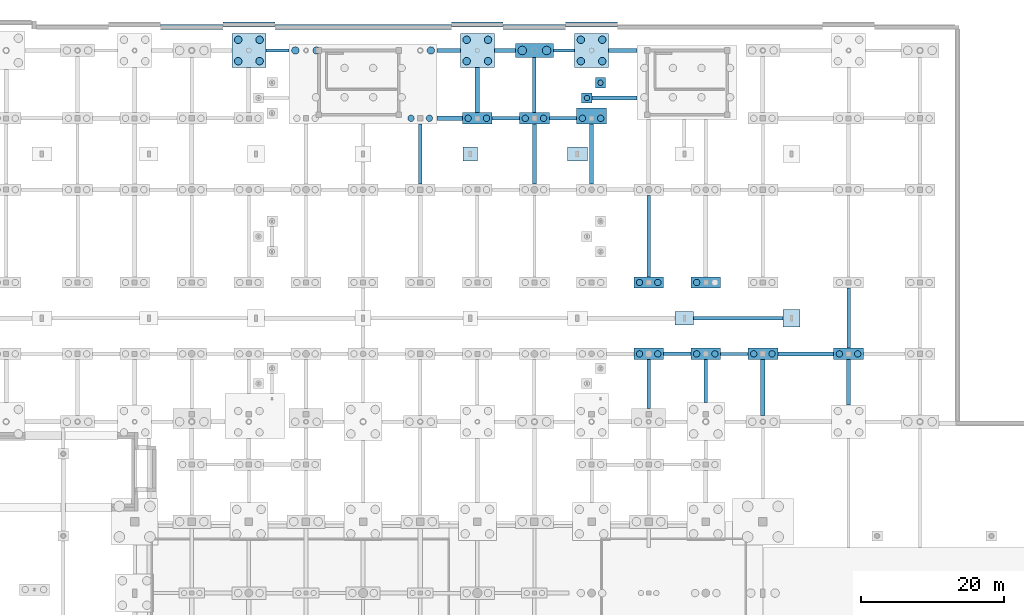
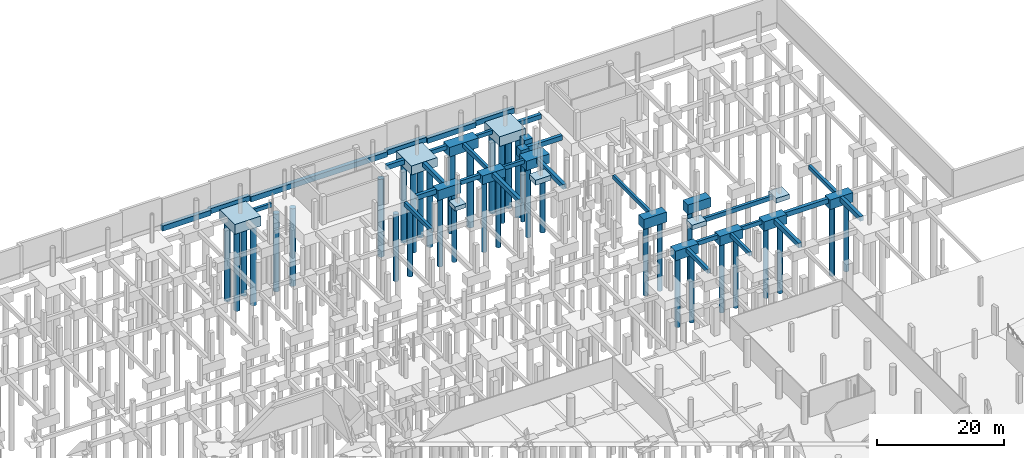
# One storey, part 16 of 65: 49 footings, 38 piles.
"""IFC4 building model written with IfcOpenShell, lengths in metres."""

from ifc_helpers import new_model, si_unit, direction, frame, origin, origin_2d, place, context, subcontext, project, spatial, rectangle, circle, extrude, material, material_profile, profile_set, type_object, element, save


model = new_model("IFC4")

# Units and contexts
model_context = context("Model", 3, precision=1e-05, world=origin(), true_north=direction((0.0, 1.0)))
body_context = subcontext(model_context, "Body", "Model", "MODEL_VIEW")
ifc_project = project(units=[si_unit("LENGTHUNIT", "METRE"), si_unit("AREAUNIT", "SQUARE_METRE"), si_unit("VOLUMEUNIT", "CUBIC_METRE"), si_unit("PLANEANGLEUNIT", "RADIAN"), si_unit("MASSUNIT", "GRAM", prefix="KILO")], contexts=[model_context])

# Site, building, storey
site_placement = place(None, origin())
site = spatial("IfcSite", under=ifc_project, at=site_placement, CompositionType="ELEMENT")
building_placement = place(site_placement, origin())
building = spatial("IfcBuilding", under=site, at=building_placement, Name="Khorjan Park Terminus", CompositionType="ELEMENT")
storey_placement = place(building_placement, frame((0.0, 0.0, -5.4)))
storey = spatial("IfcBuildingStorey", under=building, at=storey_placement, Name="B1", CompositionType="ELEMENT", Elevation=-5.4)

# Footings
ifc_material = material(Name="Concrete C40/50", Category="concrete")
ifc_material_profile_1 = material_profile(ifc_material, rectangle(XDim=0.45, YDim=0.75, at=origin_2d()), Name="RC 450x750")
ifc_profile_set_1 = profile_set([ifc_material_profile_1], Name="Concrete C40/50")
footing_type_1 = type_object("IfcFootingType", Name="FTG-GB-450x750", PredefinedType="FOOTING_BEAM", material=ifc_profile_set_1)
footing_1_placement = place(storey_placement, frame((130.083, 111.5, -0.375), z_axis=(1.0, 0.0, 0.0), x_axis=(0.0, 1.0, 0.0)))
element("IfcFooting", 1, at=footing_1_placement, inside=storey, type_object=footing_type_1, Name="Reinforced concrete ground tie beam FB-07 (122)", PredefinedType="FOOTING_BEAM", context=body_context, shape_type="SweptSolid", body=[
    extrude(rectangle(XDim=0.45, YDim=0.75, at=origin_2d()), origin(), (0.0, 0.0, 1.0), 3.834),
])
footing_2_placement = place(storey_placement, frame((106.082, 144.5, -0.375), z_axis=(1.0, 0.0, 0.0), x_axis=(0.0, 1.0, 0.0)))
element("IfcFooting", 2, at=footing_2_placement, inside=storey, type_object=footing_type_1, Name="Reinforced concrete ground tie beam FB-07 (161)", PredefinedType="FOOTING_BEAM", context=body_context, shape_type="SweptSolid", body=[
    extrude(rectangle(XDim=0.45, YDim=0.75, at=origin_2d()), origin(), (0.0, 0.0, 1.0), 3.836),
])
footing_3_placement = place(storey_placement, frame((66.371, 154.0, -0.375), z_axis=(1.0, 0.0, 0.0), x_axis=(0.0, 1.0, 0.0)))
element("IfcFooting", 3, at=footing_3_placement, inside=storey, type_object=footing_type_1, Name="Reinforced concrete ground tie beam FB-07 (173)", PredefinedType="FOOTING_BEAM", context=body_context, shape_type="SweptSolid", body=[
    extrude(rectangle(XDim=0.45, YDim=0.75, at=origin_2d()), origin(), (0.0, 0.0, 1.0), 3.258),
])
footing_4_placement = place(storey_placement, frame((106.66, 154.0, -0.375), z_axis=(1.0, 0.0, 0.0), x_axis=(0.0, 1.0, 0.0)))
element("IfcFooting", 4, at=footing_4_placement, inside=storey, type_object=footing_type_1, Name="Reinforced concrete ground tie beam FB-07 (176)", PredefinedType="FOOTING_BEAM", context=body_context, shape_type="SweptSolid", body=[
    extrude(rectangle(XDim=0.45, YDim=0.75, at=origin_2d()), origin(), (0.0, 0.0, 1.0), 2.969),
])
footing_5_placement = place(storey_placement, frame((120.0, 122.3, -0.375), z_axis=(0.0, 1.0, 0.0), x_axis=(-1.0, 0.0, 0.0)))
element("IfcFooting", 5, at=footing_5_placement, inside=storey, type_object=footing_type_1, Name="Reinforced concrete ground tie beam FB-07 (350)", PredefinedType="FOOTING_BEAM", context=body_context, shape_type="SweptSolid", body=[
    extrude(rectangle(XDim=0.45, YDim=0.75, at=origin_2d()), origin(), (0.0, 0.0, 1.0), 11.4),
])
footing_6_placement = place(storey_placement, frame((128.0, 104.66, -0.375), z_axis=(0.0, 1.0, 0.0), x_axis=(-1.0, 0.0, 0.0)))
element("IfcFooting", 6, at=footing_6_placement, inside=storey, type_object=footing_type_1, Name="Reinforced concrete ground tie beam FB-07 (356)", PredefinedType="FOOTING_BEAM", context=body_context, shape_type="SweptSolid", body=[
    extrude(rectangle(XDim=0.45, YDim=0.75, at=origin_2d()), origin(), (0.0, 0.0, 1.0), 6.04),
])
ifc_material_profile_2 = material_profile(ifc_material, rectangle(XDim=0.5, YDim=0.8, at=origin_2d()), Name="RC 500x800")
ifc_profile_set_2 = profile_set([ifc_material_profile_2], Name="Concrete C40/50")
footing_type_2 = type_object("IfcFootingType", Name="FTG-GB-500x800", PredefinedType="FOOTING_BEAM", material=ifc_profile_set_2)
footing_7_placement = place(storey_placement, frame((122.082, 111.5, -0.4), z_axis=(1.0, 0.0, 0.0), x_axis=(0.0, 1.0, 0.0)))
element("IfcFooting", 7, at=footing_7_placement, inside=storey, type_object=footing_type_2, Name="Reinforced concrete ground tie beam FB-08 (121)", PredefinedType="FOOTING_BEAM", context=body_context, shape_type="SweptSolid", body=[
    extrude(rectangle(XDim=0.5, YDim=0.8, at=origin_2d()), origin(), (0.0, 0.0, 1.0), 3.836),
])
footing_8_placement = place(storey_placement, frame((126.3, 116.5, -0.4), z_axis=(1.0, 0.0, 0.0), x_axis=(0.0, 1.0, 0.0)))
element("IfcFooting", 8, at=footing_8_placement, inside=storey, type_object=footing_type_2, Name="Reinforced concrete ground tie beam FB-08 (133)", PredefinedType="FOOTING_BEAM", context=body_context, shape_type="SweptSolid", body=[
    extrude(rectangle(XDim=0.5, YDim=0.8, at=origin_2d()), origin(), (0.0, 0.0, 1.0), 12.5),
])
footing_9_placement = place(storey_placement, frame((98.082, 144.5, -0.4), z_axis=(1.0, 0.0, 0.0), x_axis=(0.0, 1.0, 0.0)))
element("IfcFooting", 9, at=footing_9_placement, inside=storey, type_object=footing_type_2, Name="Reinforced concrete ground tie beam FB-08 (160)", PredefinedType="FOOTING_BEAM", context=body_context, shape_type="SweptSolid", body=[
    extrude(rectangle(XDim=0.5, YDim=0.8, at=origin_2d()), origin(), (0.0, 0.0, 1.0), 3.836),
])
footing_10_placement = place(storey_placement, frame((98.371, 154.0, -0.4), z_axis=(1.0, 0.0, 0.0), x_axis=(0.0, 1.0, 0.0)))
element("IfcFooting", 10, at=footing_10_placement, inside=storey, type_object=footing_type_2, Name="Reinforced concrete ground tie beam FB-08 (175)", PredefinedType="FOOTING_BEAM", context=body_context, shape_type="SweptSolid", body=[
    extrude(rectangle(XDim=0.5, YDim=0.8, at=origin_2d()), origin(), (0.0, 0.0, 1.0), 2.969),
])
footing_11_placement = place(storey_placement, frame((88.0, 135.3, -0.4), z_axis=(0.0, 1.0, 0.0), x_axis=(-1.0, 0.0, 0.0)))
element("IfcFooting", 11, at=footing_11_placement, inside=storey, type_object=footing_type_2, Name="Reinforced concrete ground tie beam FB-08 (313)", PredefinedType="FOOTING_BEAM", context=body_context, shape_type="SweptSolid", body=[
    extrude(rectangle(XDim=0.5, YDim=0.8, at=origin_2d()), origin(), (0.0, 0.0, 1.0), 8.4),
])
footing_12_placement = place(storey_placement, frame((104.0, 145.3, -0.4), z_axis=(0.0, 1.0, 0.0), x_axis=(-1.0, 0.0, 0.0)))
element("IfcFooting", 12, at=footing_12_placement, inside=storey, type_object=footing_type_2, Name="Reinforced concrete ground tie beam FB-08 (340)", PredefinedType="FOOTING_BEAM", context=body_context, shape_type="SweptSolid", body=[
    extrude(rectangle(XDim=0.5, YDim=0.8, at=origin_2d()), origin(), (0.0, 0.0, 1.0), 7.75),
])
footing_13_placement = place(storey_placement, frame((120.0, 103.86, -0.4), z_axis=(0.0, 1.0, 0.0), x_axis=(-1.0, 0.0, 0.0)))
element("IfcFooting", 13, at=footing_13_placement, inside=storey, type_object=footing_type_2, Name="Reinforced concrete ground tie beam FB-08 (349)", PredefinedType="FOOTING_BEAM", context=body_context, shape_type="SweptSolid", body=[
    extrude(rectangle(XDim=0.5, YDim=0.8, at=origin_2d()), origin(), (0.0, 0.0, 1.0), 6.84),
])
footing_14_placement = place(storey_placement, frame((148.0, 112.3, -0.4), z_axis=(0.0, 1.0, 0.0), x_axis=(-1.0, 0.0, 0.0)))
element("IfcFooting", 14, at=footing_14_placement, inside=storey, type_object=footing_type_2, Name="Reinforced concrete ground tie beam FB-08 (367)", PredefinedType="FOOTING_BEAM", context=body_context, shape_type="SweptSolid", body=[
    extrude(rectangle(XDim=0.5, YDim=0.8, at=origin_2d()), origin(), (0.0, 0.0, 1.0), 8.4),
])
ifc_material_profile_3 = material_profile(ifc_material, rectangle(XDim=0.6, YDim=0.9, at=origin_2d()), Name="RC 600x900")
ifc_profile_set_3 = profile_set([ifc_material_profile_3], Name="Concrete C40/50")
footing_type_3 = type_object("IfcFootingType", Name="FTG-GB-600x900", PredefinedType="FOOTING_BEAM", material=ifc_profile_set_3)
footing_15_placement = place(storey_placement, frame((138.083, 111.5, -0.45), z_axis=(1.0, 0.0, 0.0), x_axis=(0.0, 1.0, 0.0)))
element("IfcFooting", 15, at=footing_15_placement, inside=storey, type_object=footing_type_3, Name="Reinforced concrete ground tie beam FB-09 (123)", PredefinedType="FOOTING_BEAM", context=body_context, shape_type="SweptSolid", body=[
    extrude(rectangle(XDim=0.6, YDim=0.9, at=origin_2d()), origin(), (0.0, 0.0, 1.0), 7.834),
])
footing_16_placement = place(storey_placement, frame((90.371, 144.5, -0.45), z_axis=(1.0, 0.0, 0.0), x_axis=(0.0, 1.0, 0.0)))
element("IfcFooting", 16, at=footing_16_placement, inside=storey, type_object=footing_type_3, Name="Reinforced concrete ground tie beam FB-09 (159)", PredefinedType="FOOTING_BEAM", context=body_context, shape_type="SweptSolid", body=[
    extrude(rectangle(XDim=0.6, YDim=0.9, at=origin_2d()), origin(), (0.0, 0.0, 1.0), 3.547),
])
footing_17_placement = place(storey_placement, frame((112.075, 147.35, -0.45), z_axis=(1.0, 0.0, 0.0), x_axis=(0.0, 1.0, 0.0)))
element("IfcFooting", 17, at=footing_17_placement, inside=storey, type_object=footing_type_3, Name="Reinforced concrete ground tie beam FB-09 (165)", PredefinedType="FOOTING_BEAM", context=body_context, shape_type="SweptSolid", body=[
    extrude(rectangle(XDim=0.6, YDim=0.9, at=origin_2d()), origin(), (0.0, 0.0, 1.0), 6.325),
])
footing_18_placement = place(storey_placement, frame((90.371, 154.0, -0.45), z_axis=(1.0, 0.0, 0.0), x_axis=(0.0, 1.0, 0.0)))
element("IfcFooting", 18, at=footing_18_placement, inside=storey, type_object=footing_type_3, Name="Reinforced concrete ground tie beam FB-09 (174)", PredefinedType="FOOTING_BEAM", context=body_context, shape_type="SweptSolid", body=[
    extrude(rectangle(XDim=0.6, YDim=0.9, at=origin_2d()), origin(), (0.0, 0.0, 1.0), 3.258),
])
footing_19_placement = place(storey_placement, frame((114.371, 154.0, -0.45), z_axis=(1.0, 0.0, 0.0), x_axis=(0.0, 1.0, 0.0)))
element("IfcFooting", 19, at=footing_19_placement, inside=storey, type_object=footing_type_3, Name="Reinforced concrete ground tie beam FB-09 (177)", PredefinedType="FOOTING_BEAM", context=body_context, shape_type="SweptSolid", body=[
    extrude(rectangle(XDim=0.6, YDim=0.9, at=origin_2d()), origin(), (0.0, 0.0, 1.0), 4.029),
])
footing_20_placement = place(storey_placement, frame((96.0, 145.3, -0.45), z_axis=(0.0, 1.0, 0.0), x_axis=(-1.0, 0.0, 0.0)))
element("IfcFooting", 20, at=footing_20_placement, inside=storey, type_object=footing_type_3, Name="Reinforced concrete ground tie beam FB-09 (327)", PredefinedType="FOOTING_BEAM", context=body_context, shape_type="SweptSolid", body=[
    extrude(rectangle(XDim=0.6, YDim=0.9, at=origin_2d()), origin(), (0.0, 0.0, 1.0), 6.329),
])
for number, where, z_axis, x_axis, name in (
    (21, (104.0, 135.3, -0.45), (0.0, 1.0, 0.0), (-1.0, 0.0, 0.0), "Reinforced concrete ground tie beam FB-09 (339)"),
    (22, (112.0, 135.3, -0.45), (0.0, 1.0, 0.0), (-1.0, 0.0, 0.0), "Reinforced concrete ground tie beam FB-09 (345)"),
):
    element("IfcFooting", number, at=place(storey_placement, frame(where, z_axis=z_axis, x_axis=x_axis)), inside=storey, type_object=footing_type_3, Name=name, PredefinedType="FOOTING_BEAM", context=body_context, shape_type="SweptSolid", body=[
        extrude(rectangle(XDim=0.6, YDim=0.9, at=origin_2d()), origin(), (0.0, 0.0, 1.0), 8.4),
    ])
footing_21_placement = place(storey_placement, frame((136.0, 102.875, -0.45), z_axis=(0.0, 1.0, 0.0), x_axis=(-1.0, 0.0, 0.0)))
element("IfcFooting", 23, at=footing_21_placement, inside=storey, type_object=footing_type_3, Name="Reinforced concrete ground tie beam FB-09 (360)", PredefinedType="FOOTING_BEAM", context=body_context, shape_type="SweptSolid", body=[
    extrude(rectangle(XDim=0.6, YDim=0.9, at=origin_2d()), origin(), (0.0, 0.0, 1.0), 7.825),
])
footing_22_placement = place(storey_placement, frame((148.0, 104.371, -0.45), z_axis=(0.0, 1.0, 0.0), x_axis=(-1.0, 0.0, 0.0)))
element("IfcFooting", 24, at=footing_22_placement, inside=storey, type_object=footing_type_3, Name="Reinforced concrete ground tie beam FB-09 (366)", PredefinedType="FOOTING_BEAM", context=body_context, shape_type="SweptSolid", body=[
    extrude(rectangle(XDim=0.6, YDim=0.9, at=origin_2d()), origin(), (0.0, 0.0, 1.0), 6.329),
])
footing_type_4 = type_object("IfcFootingType", Name="FTG-PAD-2000", PredefinedType="PAD_FOOTING", material=ifc_material)
footing_23_placement = place(storey_placement, frame((95.0, 139.5, -0.8), z_axis=(0.0, 0.0, 1.0), x_axis=(1.0, 0.0, 0.0)))
element("IfcFooting", 25, at=footing_23_placement, inside=storey, type_object=footing_type_4, Name="Reinforced concrete pad footing PF-20 (17)", PredefinedType="PAD_FOOTING", context=body_context, shape_type="SweptSolid", body=[
    extrude(rectangle(XDim=2.0, YDim=2.0, at=origin_2d()), origin(), (0.0, 0.0, 1.0), 0.8),
])
footing_type_5 = type_object("IfcFootingType", Name="FTG-PAD-2400", PredefinedType="PAD_FOOTING", material=ifc_material)
footing_24_placement = place(storey_placement, frame((140.0, 116.5, -0.9), z_axis=(0.0, 0.0, 1.0), x_axis=(1.0, 0.0, 0.0)))
element("IfcFooting", 26, at=footing_24_placement, inside=storey, type_object=footing_type_5, Name="Reinforced concrete pad footing PF-24 (10)", PredefinedType="PAD_FOOTING", context=body_context, shape_type="SweptSolid", body=[
    extrude(rectangle(XDim=2.4, YDim=2.4, at=origin_2d()), origin(), (0.0, 0.0, 1.0), 0.9),
])
footing_type_6 = type_object("IfcFootingType", Name="FTG-PAD-2600x1900", PredefinedType="PAD_FOOTING", material=ifc_material)
footing_25_placement = place(storey_placement, frame((125.0, 116.5, -0.88), z_axis=(0.0, 0.0, 1.0), x_axis=(1.0, 0.0, 0.0)))
element("IfcFooting", 27, at=footing_25_placement, inside=storey, type_object=footing_type_6, Name="Reinforced concrete pad footing PF-26 (9)", PredefinedType="PAD_FOOTING", context=body_context, shape_type="SweptSolid", body=[
    extrude(rectangle(XDim=2.6, YDim=1.9, at=origin_2d()), origin(), (0.0, 0.0, 1.0), 0.88),
])
footing_type_7 = type_object("IfcFootingType", Name="FTG-PAD-2800x2000", PredefinedType="PAD_FOOTING", material=ifc_material)
footing_26_placement = place(storey_placement, frame((110.0, 139.5, -0.95), z_axis=(0.0, 0.0, 1.0), x_axis=(1.0, 0.0, 0.0)))
element("IfcFooting", 28, at=footing_26_placement, inside=storey, type_object=footing_type_7, Name="Reinforced concrete pad footing PF-28 (18)", PredefinedType="PAD_FOOTING", context=body_context, shape_type="SweptSolid", body=[
    extrude(rectangle(XDim=2.8, YDim=2.0, at=origin_2d()), origin(), (0.0, 0.0, 1.0), 0.95),
])
footing_type_8 = type_object("IfcFootingType", Name="FTG-PC-04", PredefinedType="PILE_CAP", material=ifc_material)
footing_27_placement = place(storey_placement, frame((104.0, 154.0, -1.84), z_axis=(0.0, 0.0, 1.0), x_axis=(1.0, 0.0, 0.0)))
element("IfcFooting", 29, at=footing_27_placement, inside=storey, type_object=footing_type_8, Name="Reinforced concrete pile cap PC-04 (202)", PredefinedType="PILE_CAP", context=body_context, shape_type="SweptSolid", body=[
    extrude(rectangle(XDim=5.32, YDim=1.9, at=origin_2d()), origin(), (0.0, 0.0, 1.0), 1.84),
])
footing_type_9 = type_object("IfcFootingType", Name="FTG-PC-05", PredefinedType="PILE_CAP", material=ifc_material)
footing_28_placement = place(storey_placement, frame((128.0005, 111.5, -1.78), z_axis=(0.0, 0.0, 1.0), x_axis=(1.0, 0.0, 0.0)))
element("IfcFooting", 30, at=footing_28_placement, inside=storey, type_object=footing_type_9, Name="Reinforced concrete pile cap PC-05 (242)", PredefinedType="PILE_CAP", context=body_context, shape_type="SweptSolid", body=[
    extrude(rectangle(XDim=4.165, YDim=1.6, at=origin_2d()), origin(), (0.0, 0.0, 1.0), 1.78),
])
footing_29_placement = place(storey_placement, frame((136.0, 111.5, -1.78), z_axis=(0.0, 0.0, 1.0), x_axis=(1.0, 0.0, 0.0)))
element("IfcFooting", 31, at=footing_29_placement, inside=storey, type_object=footing_type_9, Name="Reinforced concrete pile cap PC-05 (252)", PredefinedType="PILE_CAP", context=body_context, shape_type="SweptSolid", body=[
    extrude(rectangle(XDim=4.166, YDim=1.6, at=origin_2d()), origin(), (0.0, 0.0, 1.0), 1.78),
])
footing_type_10 = type_object("IfcFootingType", Name="FTG-PC-06", PredefinedType="PILE_CAP", material=ifc_material)
footing_30_placement = place(storey_placement, frame((128.0005, 121.5, -1.84), z_axis=(0.0, 0.0, 1.0), x_axis=(1.0, 0.0, 0.0)))
element("IfcFooting", 32, at=footing_30_placement, inside=storey, type_object=footing_type_10, Name="Reinforced concrete pile cap PC-06 (243)", PredefinedType="PILE_CAP", context=body_context, shape_type="SweptSolid", body=[
    extrude(rectangle(XDim=4.165, YDim=1.6, at=origin_2d()), origin(), (0.0, 0.0, 1.0), 1.84),
])
footing_31_placement = place(storey_placement, frame((148.0, 111.5, -1.84), z_axis=(0.0, 0.0, 1.0), x_axis=(1.0, 0.0, 0.0)))
element("IfcFooting", 33, at=footing_31_placement, inside=storey, type_object=footing_type_10, Name="Reinforced concrete pile cap PC-06 (259)", PredefinedType="PILE_CAP", context=body_context, shape_type="SweptSolid", body=[
    extrude(rectangle(XDim=4.166, YDim=1.6, at=origin_2d()), origin(), (0.0, 0.0, 1.0), 1.84),
])
footing_type_11 = type_object("IfcFootingType", Name="FTG-PC-11", PredefinedType="PILE_CAP", material=ifc_material)
footing_32_placement = place(storey_placement, frame((120.0, 111.5, -1.84), z_axis=(0.0, 0.0, 1.0), x_axis=(1.0, 0.0, 0.0)))
element("IfcFooting", 34, at=footing_32_placement, inside=storey, type_object=footing_type_11, Name="Reinforced concrete pile cap PC-11 (235)", PredefinedType="PILE_CAP", context=body_context, shape_type="SweptSolid", body=[
    extrude(rectangle(XDim=4.164, YDim=1.6, at=origin_2d()), origin(), (0.0, 0.0, 1.0), 1.84),
])
footing_type_12 = type_object("IfcFootingType", Name="FTG-PC-12", PredefinedType="PILE_CAP", material=ifc_material)
for number, where, z_axis, x_axis, name in (
    (35, (96.0, 144.5, -1.9), (0.0, 0.0, 1.0), (1.0, 0.0, 0.0), "Reinforced concrete pile cap PC-12 (188)"),
    (36, (120.0, 121.5, -1.9), (0.0, 0.0, 1.0), (1.0, 0.0, 0.0), "Reinforced concrete pile cap PC-12 (236)"),
):
    element("IfcFooting", number, at=place(storey_placement, frame(where, z_axis=z_axis, x_axis=x_axis)), inside=storey, type_object=footing_type_12, Name=name, PredefinedType="PILE_CAP", context=body_context, shape_type="SweptSolid", body=[
        extrude(rectangle(XDim=4.164, YDim=1.6, at=origin_2d()), origin(), (0.0, 0.0, 1.0), 1.9),
    ])
footing_type_13 = type_object("IfcFootingType", Name="FTG-PC-13", PredefinedType="PILE_CAP", material=ifc_material)
footing_33_placement = place(storey_placement, frame((104.0, 144.5, -1.66), z_axis=(0.0, 0.0, 1.0), x_axis=(1.0, 0.0, 0.0)))
element("IfcFooting", 37, at=footing_33_placement, inside=storey, type_object=footing_type_13, Name="Reinforced concrete pile cap PC-13 (206)", PredefinedType="PILE_CAP", context=body_context, shape_type="SweptSolid", body=[
    extrude(rectangle(XDim=4.164, YDim=1.6, at=origin_2d()), origin(), (0.0, 0.0, 1.0), 1.66),
])
footing_type_14 = type_object("IfcFootingType", Name="FTG-PC-15", PredefinedType="PILE_CAP", material=ifc_material)
footing_34_placement = place(storey_placement, frame((111.35, 147.35, -1.6), z_axis=(0.0, 0.0, 1.0), x_axis=(1.0, 0.0, 0.0)))
element("IfcFooting", 38, at=footing_34_placement, inside=storey, type_object=footing_type_14, Name="Reinforced concrete pile cap PC-15 (225)", PredefinedType="PILE_CAP", context=body_context, shape_type="SweptSolid", body=[
    extrude(rectangle(XDim=1.45, YDim=1.45, at=origin_2d()), origin(), (0.0, 0.0, 1.0), 1.6),
])
footing_type_15 = type_object("IfcFootingType", Name="FTG-PC-21", PredefinedType="PILE_CAP", material=ifc_material)
footing_35_placement = place(storey_placement, frame((113.25, 149.48, -1.84), z_axis=(0.0, 0.0, 1.0), x_axis=(1.0, 0.0, 0.0)))
element("IfcFooting", 39, at=footing_35_placement, inside=storey, type_object=footing_type_15, Name="Reinforced concrete pile cap PC-21 (231)", PredefinedType="PILE_CAP", context=body_context, shape_type="SweptSolid", body=[
    extrude(rectangle(XDim=1.45, YDim=1.45, at=origin_2d()), origin(), (0.0, 0.0, 1.0), 1.84),
])
footing_type_16 = type_object("IfcFootingType", Name="FTG-PC-32", PredefinedType="PILE_CAP", material=ifc_material)
footing_36_placement = place(storey_placement, frame((96.0, 154.0, -1.72), z_axis=(0.0, 0.0, 1.0), x_axis=(1.0, 0.0, 0.0)))
element("IfcFooting", 40, at=footing_36_placement, inside=storey, type_object=footing_type_16, Name="Reinforced concrete pile cap PC-32 (182)", PredefinedType="PILE_CAP", context=body_context, shape_type="SweptSolid", body=[
    extrude(rectangle(XDim=4.742, YDim=4.742, at=origin_2d()), origin(), (0.0, 0.0, 1.0), 1.72),
])
footing_type_17 = type_object("IfcFootingType", Name="FTG-PC-42", PredefinedType="PILE_CAP", material=ifc_material)
footing_37_placement = place(storey_placement, frame((64.0, 154.0, -1.9), z_axis=(0.0, 0.0, 1.0), x_axis=(1.0, 0.0, 0.0)))
element("IfcFooting", 41, at=footing_37_placement, inside=storey, type_object=footing_type_17, Name="Reinforced concrete pile cap PC-42 (106)", PredefinedType="PILE_CAP", context=body_context, shape_type="SweptSolid", body=[
    extrude(rectangle(XDim=4.742, YDim=4.742, at=origin_2d()), origin(), (0.0, 0.0, 1.0), 1.9),
])
footing_type_18 = type_object("IfcFootingType", Name="FTG-PC-52", PredefinedType="PILE_CAP", material=ifc_material)
footing_38_placement = place(storey_placement, frame((112.0, 154.0, -1.84), z_axis=(0.0, 0.0, 1.0), x_axis=(1.0, 0.0, 0.0)))
element("IfcFooting", 42, at=footing_38_placement, inside=storey, type_object=footing_type_18, Name="Reinforced concrete pile cap PC-52 (217)", PredefinedType="PILE_CAP", context=body_context, shape_type="SweptSolid", body=[
    extrude(rectangle(XDim=4.742, YDim=4.742, at=origin_2d()), origin(), (0.0, 0.0, 1.0), 1.84),
])
footing_type_19 = type_object("IfcFootingType", Name="FTG-PC-53", PredefinedType="PILE_CAP", material=ifc_material)
footing_39_placement = place(storey_placement, frame((112.0, 144.8225, -1.78), z_axis=(0.0, 0.0, 1.0), x_axis=(1.0, 0.0, 0.0)))
element("IfcFooting", 43, at=footing_39_placement, inside=storey, type_object=footing_type_19, Name="Reinforced concrete pile cap PC-53 (222)", PredefinedType="PILE_CAP", context=body_context, shape_type="SweptSolid", body=[
    extrude(rectangle(XDim=4.164, YDim=2.245, at=origin_2d()), origin(), (0.0, 0.0, 1.0), 1.78),
])
ifc_material_profile_4 = material_profile(ifc_material, rectangle(XDim=0.7, YDim=1.0, at=origin_2d()), Name="RC 700x1000")
ifc_profile_set_4 = profile_set([ifc_material_profile_4], Name="Concrete C40/50")
footing_type_20 = type_object("IfcFootingType", Name="FTG-SF-700x1000", PredefinedType="STRIP_FOOTING", material=ifc_profile_set_4)
footing_40_placement = place(storey_placement, frame((67.631, 157.26, -0.5), z_axis=(1.0, 0.0, 0.0), x_axis=(0.0, 1.0, 0.0)))
element("IfcFooting", 44, at=footing_40_placement, inside=storey, type_object=footing_type_20, Name="Reinforced concrete wall strip footing SF-07 (49)", PredefinedType="STRIP_FOOTING", context=body_context, shape_type="SweptSolid", body=[
    extrude(rectangle(XDim=0.7, YDim=1.0, at=origin_2d()), origin(), (0.0, 0.0, 1.0), 24.738),
])
for number, where, z_axis, x_axis, name in (
    (45, (51.631, 157.26, -0.5), (1.0, 0.0, 0.0), (0.0, 1.0, 0.0), "Reinforced concrete wall strip footing SF-07 (68)"),
    (46, (99.631, 157.26, -0.5), (1.0, 0.0, 0.0), (0.0, 1.0, 0.0), "Reinforced concrete wall strip footing SF-07 (69)"),
):
    element("IfcFooting", number, at=place(storey_placement, frame(where, z_axis=z_axis, x_axis=x_axis)), inside=storey, type_object=footing_type_20, Name=name, PredefinedType="STRIP_FOOTING", context=body_context, shape_type="SweptSolid", body=[
        extrude(rectangle(XDim=0.7, YDim=1.0, at=origin_2d()), origin(), (0.0, 0.0, 1.0), 8.738),
    ])
for number, where, z_axis, x_axis, name in (
    (47, (60.372, 157.631, -0.5), (1.0, 0.0, 0.0), (0.0, 1.0, 0.0), "Reinforced concrete wall strip footing SF-07 (74)"),
    (48, (92.372, 157.631, -0.5), (1.0, 0.0, 0.0), (0.0, 1.0, 0.0), "Reinforced concrete wall strip footing SF-07 (75)"),
    (49, (108.372, 157.631, -0.5), (1.0, 0.0, 0.0), (0.0, 1.0, 0.0), "Reinforced concrete wall strip footing SF-07 (76)"),
):
    element("IfcFooting", number, at=place(storey_placement, frame(where, z_axis=z_axis, x_axis=x_axis)), inside=storey, type_object=footing_type_20, Name=name, PredefinedType="STRIP_FOOTING", context=body_context, shape_type="SweptSolid", body=[
        extrude(rectangle(XDim=0.7, YDim=1.0, at=origin_2d()), origin(), (0.0, 0.0, 1.0), 7.256),
    ])

# Piles
ifc_material_profile_5 = material_profile(ifc_material, circle(Radius=0.525, at=origin_2d()), Name="BORED D1050")
ifc_profile_set_5 = profile_set([ifc_material_profile_5], Name="Concrete C40/50")
pile_type_1 = type_object("IfcPileType", Name="PL-D1050", PredefinedType="BORED", material=ifc_profile_set_5)
for number, where, z_axis, x_axis, name in (
    (50, (62.5035, 152.5035, -1.8), (0.0, 0.0, -1.0), (1.0, 0.0, 0.0), "Bored rock-socketed pile PL-105 (250)"),
    (51, (62.5035, 155.4965, -1.8), (0.0, 0.0, -1.0), (1.0, 0.0, 0.0), "Bored rock-socketed pile PL-105 (251)"),
    (52, (65.4965, 152.5035, -1.8), (0.0, 0.0, -1.0), (1.0, 0.0, 0.0), "Bored rock-socketed pile PL-105 (252)"),
    (53, (65.4965, 155.4965, -1.8), (0.0, 0.0, -1.0), (1.0, 0.0, 0.0), "Bored rock-socketed pile PL-105 (253)"),
):
    element("IfcPile", number, at=place(storey_placement, frame(where, z_axis=z_axis, x_axis=x_axis)), inside=storey, type_object=pile_type_1, Name=name, PredefinedType="BORED", context=body_context, shape_type="SweptSolid", body=[
        extrude(circle(Radius=0.525, at=origin_2d()), origin(), (0.0, 0.0, 1.0), 15.3),
    ])
for number, where, z_axis, x_axis, name in (
    (54, (70.5035, 154.0, -2.2), (0.0, 0.0, -1.0), (1.0, 0.0, 0.0), "Bored rock-socketed pile PL-105 (289)"),
    (55, (73.4965, 154.0, -2.2), (0.0, 0.0, -1.0), (1.0, 0.0, 0.0), "Bored rock-socketed pile PL-105 (290)"),
    (56, (89.4965, 154.0, -2.2), (0.0, 0.0, -1.0), (1.0, 0.0, 0.0), "Bored rock-socketed pile PL-105 (298)"),
):
    element("IfcPile", number, at=place(storey_placement, frame(where, z_axis=z_axis, x_axis=x_axis)), inside=storey, type_object=pile_type_1, Name=name, PredefinedType="BORED", context=body_context, shape_type="SweptSolid", body=[
        extrude(circle(Radius=0.525, at=origin_2d()), origin(), (0.0, 0.0, 1.0), 14.9),
    ])
for number, where, z_axis, x_axis, name in (
    (57, (94.5035, 152.5035, -1.62), (0.0, 0.0, -1.0), (1.0, 0.0, 0.0), "Bored rock-socketed pile PL-105 (408)"),
    (58, (94.5035, 155.4965, -1.62), (0.0, 0.0, -1.0), (1.0, 0.0, 0.0), "Bored rock-socketed pile PL-105 (409)"),
    (59, (97.4965, 152.5035, -1.62), (0.0, 0.0, -1.0), (1.0, 0.0, 0.0), "Bored rock-socketed pile PL-105 (410)"),
    (60, (97.4965, 155.4965, -1.62), (0.0, 0.0, -1.0), (1.0, 0.0, 0.0), "Bored rock-socketed pile PL-105 (411)"),
):
    element("IfcPile", number, at=place(storey_placement, frame(where, z_axis=z_axis, x_axis=x_axis)), inside=storey, type_object=pile_type_1, Name=name, PredefinedType="BORED", context=body_context, shape_type="SweptSolid", body=[
        extrude(circle(Radius=0.525, at=origin_2d()), origin(), (0.0, 0.0, 1.0), 15.48),
    ])
for number, where, z_axis, x_axis, name in (
    (61, (110.5035, 152.5035, -1.74), (0.0, 0.0, -1.0), (1.0, 0.0, 0.0), "Bored rock-socketed pile PL-105 (750)"),
    (62, (110.5035, 155.4965, -1.74), (0.0, 0.0, -1.0), (1.0, 0.0, 0.0), "Bored rock-socketed pile PL-105 (751)"),
    (63, (113.4965, 152.5035, -1.74), (0.0, 0.0, -1.0), (1.0, 0.0, 0.0), "Bored rock-socketed pile PL-105 (752)"),
    (64, (113.4965, 155.4965, -1.74), (0.0, 0.0, -1.0), (1.0, 0.0, 0.0), "Bored rock-socketed pile PL-105 (753)"),
):
    element("IfcPile", number, at=place(storey_placement, frame(where, z_axis=z_axis, x_axis=x_axis)), inside=storey, type_object=pile_type_1, Name=name, PredefinedType="BORED", context=body_context, shape_type="SweptSolid", body=[
        extrude(circle(Radius=0.525, at=origin_2d()), origin(), (0.0, 0.0, 1.0), 15.36),
    ])
ifc_material_profile_6 = material_profile(ifc_material, circle(Radius=0.6, at=origin_2d()), Name="BORED D1200")
ifc_profile_set_6 = profile_set([ifc_material_profile_6], Name="Concrete C40/50")
pile_type_2 = type_object("IfcPileType", Name="PL-D1200", PredefinedType="BORED", material=ifc_profile_set_6)
for number, where, z_axis, x_axis, name in (
    (65, (102.29, 154.0, -1.74), (0.0, 0.0, -1.0), (1.0, 0.0, 0.0), "Bored rock-socketed pile PL-120 (444)"),
    (66, (105.71, 154.0, -1.74), (0.0, 0.0, -1.0), (1.0, 0.0, 0.0), "Bored rock-socketed pile PL-120 (445)"),
):
    element("IfcPile", number, at=place(storey_placement, frame(where, z_axis=z_axis, x_axis=x_axis)), inside=storey, type_object=pile_type_2, Name=name, PredefinedType="BORED", context=body_context, shape_type="SweptSolid", body=[
        extrude(circle(Radius=0.6, at=origin_2d()), origin(), (0.0, 0.0, 1.0), 15.36),
    ])
ifc_material_profile_7 = material_profile(ifc_material, circle(Radius=0.375, at=origin_2d()), Name="BORED D750")
ifc_profile_set_7 = profile_set([ifc_material_profile_7], Name="Concrete C40/50")
pile_type_3 = type_object("IfcPileType", Name="PL-D750", PredefinedType="BORED", material=ifc_profile_set_7)
pile_1_placement = place(storey_placement, frame((111.35, 147.35, -1.5), z_axis=(0.0, 0.0, -1.0), x_axis=(1.0, 0.0, 0.0)))
element("IfcPile", 67, at=pile_1_placement, inside=storey, type_object=pile_type_3, Name="Bored rock-socketed pile PL-75 (766)", PredefinedType="BORED", context=body_context, shape_type="SweptSolid", body=[
    extrude(circle(Radius=0.375, at=origin_2d()), origin(), (0.0, 0.0, 1.0), 12.6),
])
pile_2_placement = place(storey_placement, frame((113.25, 149.48, -1.74), z_axis=(0.0, 0.0, -1.0), x_axis=(1.0, 0.0, 0.0)))
element("IfcPile", 68, at=pile_2_placement, inside=storey, type_object=pile_type_3, Name="Bored rock-socketed pile PL-75 (772)", PredefinedType="BORED", context=body_context, shape_type="SweptSolid", body=[
    extrude(circle(Radius=0.375, at=origin_2d()), origin(), (0.0, 0.0, 1.0), 12.36),
])
ifc_material_profile_8 = material_profile(ifc_material, circle(Radius=0.45, at=origin_2d()), Name="BORED D900")
ifc_profile_set_8 = profile_set([ifc_material_profile_8], Name="Concrete C40/50")
pile_type_4 = type_object("IfcPileType", Name="PL-D900", PredefinedType="BORED", material=ifc_profile_set_8)
for number, where, z_axis, x_axis, name in (
    (69, (86.7175, 144.5, -2.2), (0.0, 0.0, -1.0), (1.0, 0.0, 0.0), "Bored rock-socketed pile PL-90 (301)"),
    (70, (89.2825, 144.5, -2.2), (0.0, 0.0, -1.0), (1.0, 0.0, 0.0), "Bored rock-socketed pile PL-90 (302)"),
):
    element("IfcPile", number, at=place(storey_placement, frame(where, z_axis=z_axis, x_axis=x_axis)), inside=storey, type_object=pile_type_4, Name=name, PredefinedType="BORED", context=body_context, shape_type="SweptSolid", body=[
        extrude(circle(Radius=0.45, at=origin_2d()), origin(), (0.0, 0.0, 1.0), 12.9),
    ])
for number, where, z_axis, x_axis, name in (
    (71, (94.7175, 144.5, -1.8), (0.0, 0.0, -1.0), (1.0, 0.0, 0.0), "Bored rock-socketed pile PL-90 (422)"),
    (72, (97.2825, 144.5, -1.8), (0.0, 0.0, -1.0), (1.0, 0.0, 0.0), "Bored rock-socketed pile PL-90 (423)"),
):
    element("IfcPile", number, at=place(storey_placement, frame(where, z_axis=z_axis, x_axis=x_axis)), inside=storey, type_object=pile_type_4, Name=name, PredefinedType="BORED", context=body_context, shape_type="SweptSolid", body=[
        extrude(circle(Radius=0.45, at=origin_2d()), origin(), (0.0, 0.0, 1.0), 13.3),
    ])
for number, where, z_axis, x_axis, name in (
    (73, (102.7175, 144.5, -1.56), (0.0, 0.0, -1.0), (1.0, 0.0, 0.0), "Bored rock-socketed pile PL-90 (452)"),
    (74, (105.2825, 144.5, -1.56), (0.0, 0.0, -1.0), (1.0, 0.0, 0.0), "Bored rock-socketed pile PL-90 (453)"),
):
    element("IfcPile", number, at=place(storey_placement, frame(where, z_axis=z_axis, x_axis=x_axis)), inside=storey, type_object=pile_type_4, Name=name, PredefinedType="BORED", context=body_context, shape_type="SweptSolid", body=[
        extrude(circle(Radius=0.45, at=origin_2d()), origin(), (0.0, 0.0, 1.0), 13.54),
    ])
for number, where, z_axis, x_axis, name in (
    (75, (110.7175, 144.5, -1.68), (0.0, 0.0, -1.0), (1.0, 0.0, 0.0), "Bored rock-socketed pile PL-90 (762)"),
    (76, (113.2825, 144.5, -1.68), (0.0, 0.0, -1.0), (1.0, 0.0, 0.0), "Bored rock-socketed pile PL-90 (763)"),
):
    element("IfcPile", number, at=place(storey_placement, frame(where, z_axis=z_axis, x_axis=x_axis)), inside=storey, type_object=pile_type_4, Name=name, PredefinedType="BORED", context=body_context, shape_type="SweptSolid", body=[
        extrude(circle(Radius=0.45, at=origin_2d()), origin(), (0.0, 0.0, 1.0), 13.42),
    ])
for number, where, z_axis, x_axis, name in (
    (77, (118.7175, 111.5, -1.74), (0.0, 0.0, -1.0), (1.0, 0.0, 0.0), "Bored rock-socketed pile PL-90 (779)"),
    (78, (121.2825, 111.5, -1.74), (0.0, 0.0, -1.0), (1.0, 0.0, 0.0), "Bored rock-socketed pile PL-90 (780)"),
):
    element("IfcPile", number, at=place(storey_placement, frame(where, z_axis=z_axis, x_axis=x_axis)), inside=storey, type_object=pile_type_4, Name=name, PredefinedType="BORED", context=body_context, shape_type="SweptSolid", body=[
        extrude(circle(Radius=0.45, at=origin_2d()), origin(), (0.0, 0.0, 1.0), 13.36),
    ])
for number, where, z_axis, x_axis, name in (
    (79, (118.7175, 121.5, -1.8), (0.0, 0.0, -1.0), (1.0, 0.0, 0.0), "Bored rock-socketed pile PL-90 (781)"),
    (80, (121.2825, 121.5, -1.8), (0.0, 0.0, -1.0), (1.0, 0.0, 0.0), "Bored rock-socketed pile PL-90 (782)"),
):
    element("IfcPile", number, at=place(storey_placement, frame(where, z_axis=z_axis, x_axis=x_axis)), inside=storey, type_object=pile_type_4, Name=name, PredefinedType="BORED", context=body_context, shape_type="SweptSolid", body=[
        extrude(circle(Radius=0.45, at=origin_2d()), origin(), (0.0, 0.0, 1.0), 13.3),
    ])
for number, where, z_axis, x_axis, name in (
    (81, (126.7175, 111.5, -1.68), (0.0, 0.0, -1.0), (1.0, 0.0, 0.0), "Bored rock-socketed pile PL-90 (803)"),
    (82, (129.2825, 111.5, -1.68), (0.0, 0.0, -1.0), (1.0, 0.0, 0.0), "Bored rock-socketed pile PL-90 (804)"),
):
    element("IfcPile", number, at=place(storey_placement, frame(where, z_axis=z_axis, x_axis=x_axis)), inside=storey, type_object=pile_type_4, Name=name, PredefinedType="BORED", context=body_context, shape_type="SweptSolid", body=[
        extrude(circle(Radius=0.45, at=origin_2d()), origin(), (0.0, 0.0, 1.0), 13.42),
    ])
pile_3_placement = place(storey_placement, frame((126.7175, 121.5, -1.74), z_axis=(0.0, 0.0, -1.0), x_axis=(1.0, 0.0, 0.0)))
element("IfcPile", 83, at=pile_3_placement, inside=storey, type_object=pile_type_4, Name="Bored rock-socketed pile PL-90 (805)", PredefinedType="BORED", context=body_context, shape_type="SweptSolid", body=[
    extrude(circle(Radius=0.45, at=origin_2d()), origin(), (0.0, 0.0, 1.0), 13.36),
])
for number, where, z_axis, x_axis, name in (
    (84, (134.7175, 111.5, -1.68), (0.0, 0.0, -1.0), (1.0, 0.0, 0.0), "Bored rock-socketed pile PL-90 (821)"),
    (85, (137.2825, 111.5, -1.68), (0.0, 0.0, -1.0), (1.0, 0.0, 0.0), "Bored rock-socketed pile PL-90 (822)"),
):
    element("IfcPile", number, at=place(storey_placement, frame(where, z_axis=z_axis, x_axis=x_axis)), inside=storey, type_object=pile_type_4, Name=name, PredefinedType="BORED", context=body_context, shape_type="SweptSolid", body=[
        extrude(circle(Radius=0.45, at=origin_2d()), origin(), (0.0, 0.0, 1.0), 13.42),
    ])
for number, where, z_axis, x_axis, name in (
    (86, (146.7175, 111.5, -1.74), (0.0, 0.0, -1.0), (1.0, 0.0, 0.0), "Bored rock-socketed pile PL-90 (838)"),
    (87, (149.2825, 111.5, -1.74), (0.0, 0.0, -1.0), (1.0, 0.0, 0.0), "Bored rock-socketed pile PL-90 (839)"),
):
    element("IfcPile", number, at=place(storey_placement, frame(where, z_axis=z_axis, x_axis=x_axis)), inside=storey, type_object=pile_type_4, Name=name, PredefinedType="BORED", context=body_context, shape_type="SweptSolid", body=[
        extrude(circle(Radius=0.45, at=origin_2d()), origin(), (0.0, 0.0, 1.0), 13.36),
    ])

save(model, "model.ifc")
